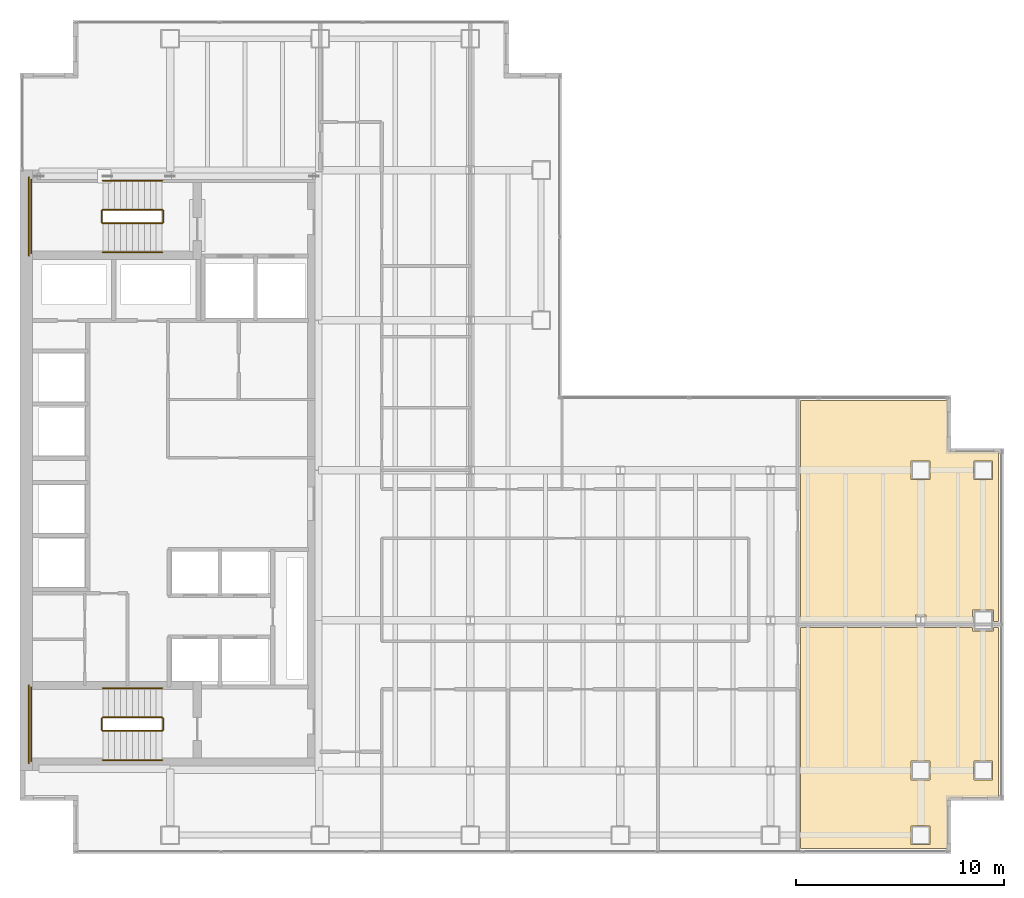
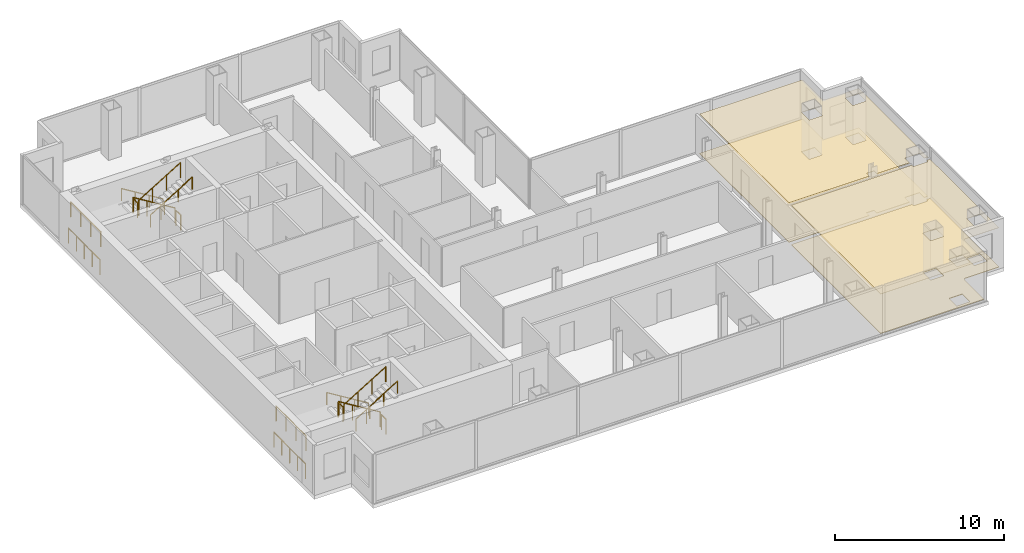
# One storey, part 23 of 23: 16 railings, 4 coverings.
"""IFC4 building model written with IfcOpenShell, lengths in metres."""

from ifc_helpers import new_model, si_unit, direction, frame, origin, origin_2d, place, context, subcontext, project, spatial, polyline, circle, outline, extrude, material, layer, layer_set, type_object, element, save


model = new_model("IFC4")

# Units and contexts
model_context = context("Model", 3, precision=1e-05, world=origin(), true_north=direction((0.0, 1.0)))
body_context = subcontext(model_context, "Body", "Model", "MODEL_VIEW")
ifc_project = project(units=[si_unit("LENGTHUNIT", "METRE"), si_unit("AREAUNIT", "SQUARE_METRE"), si_unit("VOLUMEUNIT", "CUBIC_METRE"), si_unit("PLANEANGLEUNIT", "RADIAN"), si_unit("MASSUNIT", "GRAM", prefix="KILO")], contexts=[model_context])

# Site, building, storey
site_placement = place(None, origin())
site = spatial("IfcSite", under=ifc_project, at=site_placement, CompositionType="ELEMENT")
building_placement = place(site_placement, origin())
building = spatial("IfcBuilding", under=site, at=building_placement, Name="Cobrela Telecom Tower", CompositionType="ELEMENT")
storey_placement = place(building_placement, frame((0.0, 0.0, 129.14990234375)))
storey = spatial("IfcBuildingStorey", under=building, at=storey_placement, Name="L32", CompositionType="ELEMENT", Elevation=129.14990234375)

# Coverings
ifc_material_1 = material(Name="Mineral Fibre Acoustic Ceiling Tile")
ifc_layer_1 = layer(ifc_material_1, 0.02490234375)
ifc_layer_set_1 = layer_set([ifc_layer_1], Name="Mineral Fibre Acoustic Ceiling Tile")
covering_type_1 = type_object("IfcCoveringType", Name="COV-CEIL-ACT", PredefinedType="CEILING", material=ifc_layer_set_1)
covering_1_placement = place(storey_placement, frame((0.0, 0.0, 2.860107421875)))
element("IfcCovering", 1, at=covering_1_placement, inside=storey, type_object=covering_type_1, Name="L32 Systems Engineering Studio 7 Suspended Acoustic Ceiling", PredefinedType="CEILING", context=body_context, shape_type="SweptSolid", body=[
    extrude(outline(polyline([(45.699951171875, 14.89990234375), (45.699951171875, 14.340087890625), (43.45458984375, 14.340087890625), (43.45458984375, 14.662109375), (42.945556640625, 14.662109375), (42.945556640625, 14.340087890625), (37.43994140625, 14.340087890625), (37.43994140625, 24.93994140625), (44.510009765625, 24.93994140625), (44.510009765625, 22.64892578125), (44.510498046875, 22.63623046875), (44.5126953125, 22.622802734375), (44.51611328125, 22.609375), (44.5205078125, 22.596435546875), (44.526611328125, 22.583984375), (44.53369140625, 22.572021484375), (44.541748046875, 22.561279296875), (44.551025390625, 22.551025390625), (44.561279296875, 22.541748046875), (44.572021484375, 22.53369140625), (44.583984375, 22.526611328125), (44.596435546875, 22.5205078125), (44.609375, 22.51611328125), (44.622802734375, 22.5126953125), (44.63623046875, 22.510498046875), (44.64892578125, 22.510009765625), (46.93994140625, 22.510009765625), (46.93994140625, 14.340087890625), (46.699951171875, 14.340087890625), (46.699951171875, 14.89990234375), (45.699951171875, 14.89990234375)]), holes=[polyline([(43.64990234375, 21.14990234375), (43.64990234375, 22.050048828125), (42.75, 22.050048828125), (42.75, 21.14990234375), (43.64990234375, 21.14990234375)]), polyline([(46.64990234375, 21.14990234375), (46.64990234375, 22.050048828125), (45.75, 22.050048828125), (45.75, 21.14990234375), (46.64990234375, 21.14990234375)])]), origin(), (0.0, 0.0, 1.0), 0.02490234375),
])
covering_2_placement = place(storey_placement, frame((0.0, 0.0, 2.860107421875)))
element("IfcCovering", 2, at=covering_2_placement, inside=storey, type_object=covering_type_1, Name="L32 Executive Reading Study 6 Suspended Acoustic Ceiling", PredefinedType="CEILING", context=body_context, shape_type="SweptSolid", body=[
    extrude(outline(polyline([(45.699951171875, 13.89990234375), (46.699951171875, 13.89990234375), (46.699951171875, 14.06005859375), (46.93994140625, 14.06005859375), (46.93994140625, 5.889892578125), (44.64892578125, 5.889892578125), (44.63623046875, 5.889404296875), (44.622802734375, 5.887451171875), (44.609375, 5.884033203125), (44.596435546875, 5.87939453125), (44.583984375, 5.87353515625), (44.572021484375, 5.866455078125), (44.561279296875, 5.8583984375), (44.551025390625, 5.84912109375), (44.541748046875, 5.8388671875), (44.53369140625, 5.827880859375), (44.526611328125, 5.81591796875), (44.5205078125, 5.8037109375), (44.51611328125, 5.79052734375), (44.5126953125, 5.77734375), (44.510498046875, 5.763671875), (44.510009765625, 5.7509765625), (44.510009765625, 3.4599609375), (37.43994140625, 3.4599609375), (37.43994140625, 14.06005859375), (45.699951171875, 14.06005859375), (45.699951171875, 13.89990234375)]), holes=[polyline([(43.64990234375, 3.64990234375), (43.64990234375, 4.550048828125), (42.75, 4.550048828125), (42.75, 3.64990234375), (43.64990234375, 3.64990234375)]), polyline([(43.64990234375, 6.75), (43.64990234375, 7.64990234375), (42.75, 7.64990234375), (42.75, 6.75), (43.64990234375, 6.75)]), polyline([(46.64990234375, 6.75), (46.64990234375, 7.64990234375), (45.75, 7.64990234375), (45.75, 6.75), (46.64990234375, 6.75)])]), origin(), (0.0, 0.0, 1.0), 0.02490234375),
])
ifc_material_2 = material(Name="Honed Colombian Basalt Stone", Category="masonry")
ifc_layer_2 = layer(ifc_material_2, 0.0400390625)
ifc_layer_set_2 = layer_set([ifc_layer_2], Name="Honed Colombian Basalt Stone")
covering_type_2 = type_object("IfcCoveringType", Name="COV-FLR-STONE", PredefinedType="FLOORING", material=ifc_layer_set_2)
covering_3_placement = place(storey_placement, origin())
element("IfcCovering", 3, at=covering_3_placement, inside=storey, type_object=covering_type_2, Name="L32 Systems Engineering Studio 7 Raised Technical Flooring", PredefinedType="FLOORING", context=body_context, shape_type="SweptSolid", body=[
    extrude(outline(polyline([(45.699951171875, 14.89990234375), (45.699951171875, 14.340087890625), (43.45458984375, 14.340087890625), (43.45458984375, 14.662109375), (42.945556640625, 14.662109375), (42.945556640625, 14.340087890625), (37.43994140625, 14.340087890625), (37.43994140625, 24.93994140625), (44.510009765625, 24.93994140625), (44.510009765625, 22.64892578125), (44.510498046875, 22.63623046875), (44.5126953125, 22.622802734375), (44.51611328125, 22.609375), (44.5205078125, 22.596435546875), (44.526611328125, 22.583984375), (44.53369140625, 22.572021484375), (44.541748046875, 22.561279296875), (44.551025390625, 22.551025390625), (44.561279296875, 22.541748046875), (44.572021484375, 22.53369140625), (44.583984375, 22.526611328125), (44.596435546875, 22.5205078125), (44.609375, 22.51611328125), (44.622802734375, 22.5126953125), (44.63623046875, 22.510498046875), (44.64892578125, 22.510009765625), (46.93994140625, 22.510009765625), (46.93994140625, 14.340087890625), (46.699951171875, 14.340087890625), (46.699951171875, 14.89990234375), (45.699951171875, 14.89990234375)]), holes=[polyline([(43.64990234375, 21.14990234375), (43.64990234375, 22.050048828125), (42.75, 22.050048828125), (42.75, 21.14990234375), (43.64990234375, 21.14990234375)]), polyline([(46.64990234375, 21.14990234375), (46.64990234375, 22.050048828125), (45.75, 22.050048828125), (45.75, 21.14990234375), (46.64990234375, 21.14990234375)])]), origin(), (0.0, 0.0, 1.0), 0.0400390625),
])
covering_4_placement = place(storey_placement, origin())
element("IfcCovering", 4, at=covering_4_placement, inside=storey, type_object=covering_type_2, Name="L32 Executive Reading Study 6 Raised Technical Flooring", PredefinedType="FLOORING", context=body_context, shape_type="SweptSolid", body=[
    extrude(outline(polyline([(45.699951171875, 13.89990234375), (46.699951171875, 13.89990234375), (46.699951171875, 14.06005859375), (46.93994140625, 14.06005859375), (46.93994140625, 5.889892578125), (44.64892578125, 5.889892578125), (44.63623046875, 5.889404296875), (44.622802734375, 5.887451171875), (44.609375, 5.884033203125), (44.596435546875, 5.87939453125), (44.583984375, 5.87353515625), (44.572021484375, 5.866455078125), (44.561279296875, 5.8583984375), (44.551025390625, 5.84912109375), (44.541748046875, 5.8388671875), (44.53369140625, 5.827880859375), (44.526611328125, 5.81591796875), (44.5205078125, 5.8037109375), (44.51611328125, 5.79052734375), (44.5126953125, 5.77734375), (44.510498046875, 5.763671875), (44.510009765625, 5.7509765625), (44.510009765625, 3.4599609375), (37.43994140625, 3.4599609375), (37.43994140625, 14.06005859375), (45.699951171875, 14.06005859375), (45.699951171875, 13.89990234375)]), holes=[polyline([(43.64990234375, 3.64990234375), (43.64990234375, 4.550048828125), (42.75, 4.550048828125), (42.75, 3.64990234375), (43.64990234375, 3.64990234375)]), polyline([(43.64990234375, 6.75), (43.64990234375, 7.64990234375), (42.75, 7.64990234375), (42.75, 6.75), (43.64990234375, 6.75)]), polyline([(46.64990234375, 6.75), (46.64990234375, 7.64990234375), (45.75, 7.64990234375), (45.75, 6.75), (46.64990234375, 6.75)])]), origin(), (0.0, 0.0, 1.0), 0.0400390625),
])

# Railings
ifc_material_3 = material(Name="Steel ASTM A36", Category="steel")
railing_type_1 = type_object("IfcRailingType", Name="RAIL-GUARD-1100", PredefinedType="GUARDRAIL", material=ifc_material_3)
railing_1_placement = place(storey_placement, frame((6.820068359375, 34.10009765625, 0.175048828125)))
element("IfcRailing", 5, at=railing_1_placement, inside=storey, type_object=railing_type_1, Name="L32 ST1 stair guard 1", PredefinedType="GUARDRAIL", context=body_context, shape_type="SweptSolid", body=[
    extrude(circle(Radius=0.02392578125, at=origin_2d()), frame((0.0, 0.0, 1.076171875), z_axis=(-0.852179220489, 0.0, 0.52325001306), x_axis=(0.0, -1.0, 0.0)), (0.0, 0.0, 1.0), 3.344482421875),
    extrude(circle(Radius=0.02099609375, at=origin_2d()), origin(), (0.0, 0.0, 1.0), 1.052001953125),
    extrude(circle(Radius=0.02099609375, at=origin_2d()), frame((-0.949951171875, 0.0, 0.583251953125)), (0.0, 0.0, 1.0), 1.052001953125),
    extrude(circle(Radius=0.02099609375, at=origin_2d()), frame((-1.900146484375, 0.0, 1.166748046875)), (0.0, 0.0, 1.0), 1.052001953125),
    extrude(circle(Radius=0.02099609375, at=origin_2d()), frame((-2.85009765625, 0.0, 1.75)), (0.0, 0.0, 1.0), 1.052001953125),
])
railing_2_placement = place(storey_placement, frame((3.919921875, 34.050048828125, 1.925048828125)))
element("IfcRailing", 6, at=railing_2_placement, inside=storey, type_object=railing_type_1, Name="L32 ST1 stair guard 2", PredefinedType="GUARDRAIL", context=body_context, shape_type="SweptSolid", body=[
    extrude(circle(Radius=0.02392578125, at=origin_2d()), frame((0.0, 0.0, 1.076171875), z_axis=(0.0, -1.0, 0.0), x_axis=(1.0, 0.0, 0.0)), (0.0, 0.0, 1.0), 0.550048828125),
    extrude(circle(Radius=0.02099609375, at=origin_2d()), origin(), (0.0, 0.0, 1.0), 1.052001953125),
    extrude(circle(Radius=0.02099609375, at=origin_2d()), frame((0.0, -0.550048828125, 0.0)), (0.0, 0.0, 1.0), 1.052001953125),
])
railing_3_placement = place(storey_placement, frame((0.530029296875, 35.550048828125, 1.925048828125)))
element("IfcRailing", 7, at=railing_3_placement, inside=storey, type_object=railing_type_1, Name="L32 ST1 stair guard 3", PredefinedType="GUARDRAIL", context=body_context, shape_type="SweptSolid", body=[
    extrude(circle(Radius=0.02392578125, at=origin_2d()), frame((0.0, 0.0, 1.076171875), z_axis=(0.0, -1.0, 0.0), x_axis=(1.0, 0.0, 0.0)), (0.0, 0.0, 1.0), 3.550048828125),
    extrude(circle(Radius=0.02099609375, at=origin_2d()), origin(), (0.0, 0.0, 1.0), 1.052001953125),
    extrude(circle(Radius=0.02099609375, at=origin_2d()), frame((0.0, -1.183349609375, 0.0)), (0.0, 0.0, 1.0), 1.052001953125),
    extrude(circle(Radius=0.02099609375, at=origin_2d()), frame((0.0, -2.36669921875, 0.0)), (0.0, 0.0, 1.0), 1.052001953125),
    extrude(circle(Radius=0.02099609375, at=origin_2d()), frame((0.0, -3.550048828125, 0.0)), (0.0, 0.0, 1.0), 1.052001953125),
])
railing_4_placement = place(storey_placement, frame((3.969970703125, 33.449951171875, 2.10009765625)))
element("IfcRailing", 8, at=railing_4_placement, inside=storey, type_object=railing_type_1, Name="L32 ST1 stair guard 4", PredefinedType="GUARDRAIL", context=body_context, shape_type="SweptSolid", body=[
    extrude(circle(Radius=0.02392578125, at=origin_2d()), frame((0.0, 0.0, 1.076171875), z_axis=(0.852179220489, 0.0, 0.52325001306), x_axis=(0.0, 1.0, 0.0)), (0.0, 0.0, 1.0), 3.344482421875),
    extrude(circle(Radius=0.02099609375, at=origin_2d()), origin(), (0.0, 0.0, 1.0), 1.052001953125),
    extrude(circle(Radius=0.02099609375, at=origin_2d()), frame((0.949951171875, 0.0, 0.583251953125)), (0.0, 0.0, 1.0), 1.052001953125),
    extrude(circle(Radius=0.02099609375, at=origin_2d()), frame((1.900146484375, 0.0, 1.166748046875)), (0.0, 0.0, 1.0), 1.052001953125),
    extrude(circle(Radius=0.02099609375, at=origin_2d()), frame((2.85009765625, 0.0, 1.75)), (0.0, 0.0, 1.0), 1.052001953125),
])
railing_5_placement = place(storey_placement, frame((6.8701171875, 34.050048828125, 0.0)))
element("IfcRailing", 9, at=railing_5_placement, inside=storey, type_object=railing_type_1, Name="L32 ST1 stair guard 5", PredefinedType="GUARDRAIL", context=body_context, shape_type="SweptSolid", body=[
    extrude(circle(Radius=0.02392578125, at=origin_2d()), frame((0.0, 0.0, 1.076171875), z_axis=(0.0, -1.0, 0.0), x_axis=(1.0, 0.0, 0.0)), (0.0, 0.0, 1.0), 0.550048828125),
    extrude(circle(Radius=0.02099609375, at=origin_2d()), origin(), (0.0, 0.0, 1.0), 1.052001953125),
    extrude(circle(Radius=0.02099609375, at=origin_2d()), frame((0.0, -0.550048828125, 0.0)), (0.0, 0.0, 1.0), 1.052001953125),
])
railing_6_placement = place(storey_placement, frame((0.429931640625, 35.64990234375, 0.0)))
element("IfcRailing", 10, at=railing_6_placement, inside=storey, type_object=railing_type_1, Name="L32 ST1 stair guard 6", PredefinedType="GUARDRAIL", context=body_context, shape_type="SweptSolid", body=[
    extrude(circle(Radius=0.02392578125, at=origin_2d()), frame((0.0, 0.0, 1.076171875), z_axis=(0.0, -1.0, 0.0), x_axis=(1.0, 0.0, 0.0)), (0.0, 0.0, 1.0), 3.75),
    extrude(circle(Radius=0.02099609375, at=origin_2d()), origin(), (0.0, 0.0, 1.0), 1.052001953125),
    extrude(circle(Radius=0.02099609375, at=origin_2d()), frame((0.0, -0.9375, 0.0)), (0.0, 0.0, 1.0), 1.052001953125),
    extrude(circle(Radius=0.02099609375, at=origin_2d()), frame((0.0, -1.875, 0.0)), (0.0, 0.0, 1.0), 1.052001953125),
    extrude(circle(Radius=0.02099609375, at=origin_2d()), frame((0.0, -2.8125, 0.0)), (0.0, 0.0, 1.0), 1.052001953125),
    extrude(circle(Radius=0.02099609375, at=origin_2d()), frame((0.0, -3.75, 0.0)), (0.0, 0.0, 1.0), 1.052001953125),
])
railing_7_placement = place(storey_placement, frame((6.820068359375, 9.75, 0.175048828125)))
element("IfcRailing", 11, at=railing_7_placement, inside=storey, type_object=railing_type_1, Name="L32 ST2 stair guard 1", PredefinedType="GUARDRAIL", context=body_context, shape_type="SweptSolid", body=[
    extrude(circle(Radius=0.02392578125, at=origin_2d()), frame((0.0, 0.0, 1.076171875), z_axis=(-0.852179220489, 0.0, 0.52325001306), x_axis=(0.0, -1.0, 0.0)), (0.0, 0.0, 1.0), 3.344482421875),
    extrude(circle(Radius=0.02099609375, at=origin_2d()), origin(), (0.0, 0.0, 1.0), 1.052001953125),
    extrude(circle(Radius=0.02099609375, at=origin_2d()), frame((-0.949951171875, 0.0, 0.583251953125)), (0.0, 0.0, 1.0), 1.052001953125),
    extrude(circle(Radius=0.02099609375, at=origin_2d()), frame((-1.900146484375, 0.0, 1.166748046875)), (0.0, 0.0, 1.0), 1.052001953125),
    extrude(circle(Radius=0.02099609375, at=origin_2d()), frame((-2.85009765625, 0.0, 1.75)), (0.0, 0.0, 1.0), 1.052001953125),
])
railing_8_placement = place(storey_placement, frame((3.919921875, 9.699951171875, 1.925048828125)))
element("IfcRailing", 12, at=railing_8_placement, inside=storey, type_object=railing_type_1, Name="L32 ST2 stair guard 2", PredefinedType="GUARDRAIL", context=body_context, shape_type="SweptSolid", body=[
    extrude(circle(Radius=0.02392578125, at=origin_2d()), frame((0.0, 0.0, 1.076171875), z_axis=(0.0, -1.0, 0.0), x_axis=(1.0, 0.0, 0.0)), (0.0, 0.0, 1.0), 0.550048828125),
    extrude(circle(Radius=0.02099609375, at=origin_2d()), origin(), (0.0, 0.0, 1.0), 1.052001953125),
    extrude(circle(Radius=0.02099609375, at=origin_2d()), frame((0.0, -0.550048828125, 0.0)), (0.0, 0.0, 1.0), 1.052001953125),
])
railing_9_placement = place(storey_placement, frame((0.530029296875, 11.199951171875, 1.925048828125)))
element("IfcRailing", 13, at=railing_9_placement, inside=storey, type_object=railing_type_1, Name="L32 ST2 stair guard 3", PredefinedType="GUARDRAIL", context=body_context, shape_type="SweptSolid", body=[
    extrude(circle(Radius=0.02392578125, at=origin_2d()), frame((0.0, 0.0, 1.076171875), z_axis=(0.0, -1.0, 0.0), x_axis=(1.0, 0.0, 0.0)), (0.0, 0.0, 1.0), 3.550048828125),
    extrude(circle(Radius=0.02099609375, at=origin_2d()), origin(), (0.0, 0.0, 1.0), 1.052001953125),
    extrude(circle(Radius=0.02099609375, at=origin_2d()), frame((0.0, -1.183349609375, 0.0)), (0.0, 0.0, 1.0), 1.052001953125),
    extrude(circle(Radius=0.02099609375, at=origin_2d()), frame((0.0, -2.36669921875, 0.0)), (0.0, 0.0, 1.0), 1.052001953125),
    extrude(circle(Radius=0.02099609375, at=origin_2d()), frame((0.0, -3.550048828125, 0.0)), (0.0, 0.0, 1.0), 1.052001953125),
])
railing_10_placement = place(storey_placement, frame((3.969970703125, 9.10009765625, 2.10009765625)))
element("IfcRailing", 14, at=railing_10_placement, inside=storey, type_object=railing_type_1, Name="L32 ST2 stair guard 4", PredefinedType="GUARDRAIL", context=body_context, shape_type="SweptSolid", body=[
    extrude(circle(Radius=0.02392578125, at=origin_2d()), frame((0.0, 0.0, 1.076171875), z_axis=(0.852179220489, 0.0, 0.52325001306), x_axis=(0.0, 1.0, 0.0)), (0.0, 0.0, 1.0), 3.344482421875),
    extrude(circle(Radius=0.02099609375, at=origin_2d()), origin(), (0.0, 0.0, 1.0), 1.052001953125),
    extrude(circle(Radius=0.02099609375, at=origin_2d()), frame((0.949951171875, 0.0, 0.583251953125)), (0.0, 0.0, 1.0), 1.052001953125),
    extrude(circle(Radius=0.02099609375, at=origin_2d()), frame((1.900146484375, 0.0, 1.166748046875)), (0.0, 0.0, 1.0), 1.052001953125),
    extrude(circle(Radius=0.02099609375, at=origin_2d()), frame((2.85009765625, 0.0, 1.75)), (0.0, 0.0, 1.0), 1.052001953125),
])
railing_11_placement = place(storey_placement, frame((6.8701171875, 9.699951171875, 0.0)))
element("IfcRailing", 15, at=railing_11_placement, inside=storey, type_object=railing_type_1, Name="L32 ST2 stair guard 5", PredefinedType="GUARDRAIL", context=body_context, shape_type="SweptSolid", body=[
    extrude(circle(Radius=0.02392578125, at=origin_2d()), frame((0.0, 0.0, 1.076171875), z_axis=(0.0, -1.0, 0.0), x_axis=(1.0, 0.0, 0.0)), (0.0, 0.0, 1.0), 0.550048828125),
    extrude(circle(Radius=0.02099609375, at=origin_2d()), origin(), (0.0, 0.0, 1.0), 1.052001953125),
    extrude(circle(Radius=0.02099609375, at=origin_2d()), frame((0.0, -0.550048828125, 0.0)), (0.0, 0.0, 1.0), 1.052001953125),
])
railing_12_placement = place(storey_placement, frame((0.429931640625, 11.300048828125, 0.0)))
element("IfcRailing", 16, at=railing_12_placement, inside=storey, type_object=railing_type_1, Name="L32 ST2 stair guard 6", PredefinedType="GUARDRAIL", context=body_context, shape_type="SweptSolid", body=[
    extrude(circle(Radius=0.02392578125, at=origin_2d()), frame((0.0, 0.0, 1.076171875), z_axis=(0.0, -1.0, 0.0), x_axis=(1.0, 0.0, 0.0)), (0.0, 0.0, 1.0), 3.75),
    extrude(circle(Radius=0.02099609375, at=origin_2d()), origin(), (0.0, 0.0, 1.0), 1.052001953125),
    extrude(circle(Radius=0.02099609375, at=origin_2d()), frame((0.0, -0.9375, 0.0)), (0.0, 0.0, 1.0), 1.052001953125),
    extrude(circle(Radius=0.02099609375, at=origin_2d()), frame((0.0, -1.875, 0.0)), (0.0, 0.0, 1.0), 1.052001953125),
    extrude(circle(Radius=0.02099609375, at=origin_2d()), frame((0.0, -2.8125, 0.0)), (0.0, 0.0, 1.0), 1.052001953125),
    extrude(circle(Radius=0.02099609375, at=origin_2d()), frame((0.0, -3.75, 0.0)), (0.0, 0.0, 1.0), 1.052001953125),
])
railing_type_2 = type_object("IfcRailingType", Name="RAIL-HAND-920", PredefinedType="HANDRAIL", material=ifc_material_3)
railing_13_placement = place(storey_placement, frame((6.820068359375, 35.5, 0.175048828125)))
element("IfcRailing", 17, at=railing_13_placement, inside=storey, type_object=railing_type_2, Name="L32 ST1 stair handrail 1", PredefinedType="HANDRAIL", context=body_context, shape_type="SweptSolid", body=[
    extrude(circle(Radius=0.02392578125, at=origin_2d()), frame((0.0, 0.0, 0.8759765625), z_axis=(-0.852179220489, 0.0, 0.52325001306), x_axis=(0.0, -1.0, 0.0)), (0.0, 0.0, 1.0), 3.344482421875),
    extrude(circle(Radius=0.02099609375, at=origin_2d()), origin(), (0.0, 0.0, 1.0), 0.851806640625),
    extrude(circle(Radius=0.02099609375, at=origin_2d()), frame((-0.949951171875, 0.0, 0.583251953125)), (0.0, 0.0, 1.0), 0.851806640625),
    extrude(circle(Radius=0.02099609375, at=origin_2d()), frame((-1.900146484375, 0.0, 1.166748046875)), (0.0, 0.0, 1.0), 0.851806640625),
    extrude(circle(Radius=0.02099609375, at=origin_2d()), frame((-2.85009765625, 0.0, 1.75)), (0.0, 0.0, 1.0), 0.851806640625),
])
railing_14_placement = place(storey_placement, frame((3.969970703125, 32.050048828125, 2.10009765625)))
element("IfcRailing", 18, at=railing_14_placement, inside=storey, type_object=railing_type_2, Name="L32 ST1 stair handrail 2", PredefinedType="HANDRAIL", context=body_context, shape_type="SweptSolid", body=[
    extrude(circle(Radius=0.02392578125, at=origin_2d()), frame((0.0, 0.0, 0.8759765625), z_axis=(0.852179220489, 0.0, 0.52325001306), x_axis=(0.0, 1.0, 0.0)), (0.0, 0.0, 1.0), 3.344482421875),
    extrude(circle(Radius=0.02099609375, at=origin_2d()), origin(), (0.0, 0.0, 1.0), 0.851806640625),
    extrude(circle(Radius=0.02099609375, at=origin_2d()), frame((0.949951171875, 0.0, 0.583251953125)), (0.0, 0.0, 1.0), 0.851806640625),
    extrude(circle(Radius=0.02099609375, at=origin_2d()), frame((1.900146484375, 0.0, 1.166748046875)), (0.0, 0.0, 1.0), 0.851806640625),
    extrude(circle(Radius=0.02099609375, at=origin_2d()), frame((2.85009765625, 0.0, 1.75)), (0.0, 0.0, 1.0), 0.851806640625),
])
railing_15_placement = place(storey_placement, frame((6.820068359375, 11.14990234375, 0.175048828125)))
element("IfcRailing", 19, at=railing_15_placement, inside=storey, type_object=railing_type_2, Name="L32 ST2 stair handrail 1", PredefinedType="HANDRAIL", context=body_context, shape_type="SweptSolid", body=[
    extrude(circle(Radius=0.02392578125, at=origin_2d()), frame((0.0, 0.0, 0.8759765625), z_axis=(-0.852179220489, 0.0, 0.52325001306), x_axis=(0.0, -1.0, 0.0)), (0.0, 0.0, 1.0), 3.344482421875),
    extrude(circle(Radius=0.02099609375, at=origin_2d()), origin(), (0.0, 0.0, 1.0), 0.851806640625),
    extrude(circle(Radius=0.02099609375, at=origin_2d()), frame((-0.949951171875, 0.0, 0.583251953125)), (0.0, 0.0, 1.0), 0.851806640625),
    extrude(circle(Radius=0.02099609375, at=origin_2d()), frame((-1.900146484375, 0.0, 1.166748046875)), (0.0, 0.0, 1.0), 0.851806640625),
    extrude(circle(Radius=0.02099609375, at=origin_2d()), frame((-2.85009765625, 0.0, 1.75)), (0.0, 0.0, 1.0), 0.851806640625),
])
railing_16_placement = place(storey_placement, frame((3.969970703125, 7.699951171875, 2.10009765625)))
element("IfcRailing", 20, at=railing_16_placement, inside=storey, type_object=railing_type_2, Name="L32 ST2 stair handrail 2", PredefinedType="HANDRAIL", context=body_context, shape_type="SweptSolid", body=[
    extrude(circle(Radius=0.02392578125, at=origin_2d()), frame((0.0, 0.0, 0.8759765625), z_axis=(0.852179220489, 0.0, 0.52325001306), x_axis=(0.0, 1.0, 0.0)), (0.0, 0.0, 1.0), 3.344482421875),
    extrude(circle(Radius=0.02099609375, at=origin_2d()), origin(), (0.0, 0.0, 1.0), 0.851806640625),
    extrude(circle(Radius=0.02099609375, at=origin_2d()), frame((0.949951171875, 0.0, 0.583251953125)), (0.0, 0.0, 1.0), 0.851806640625),
    extrude(circle(Radius=0.02099609375, at=origin_2d()), frame((1.900146484375, 0.0, 1.166748046875)), (0.0, 0.0, 1.0), 0.851806640625),
    extrude(circle(Radius=0.02099609375, at=origin_2d()), frame((2.85009765625, 0.0, 1.75)), (0.0, 0.0, 1.0), 0.851806640625),
])

save(model, "model.ifc")
